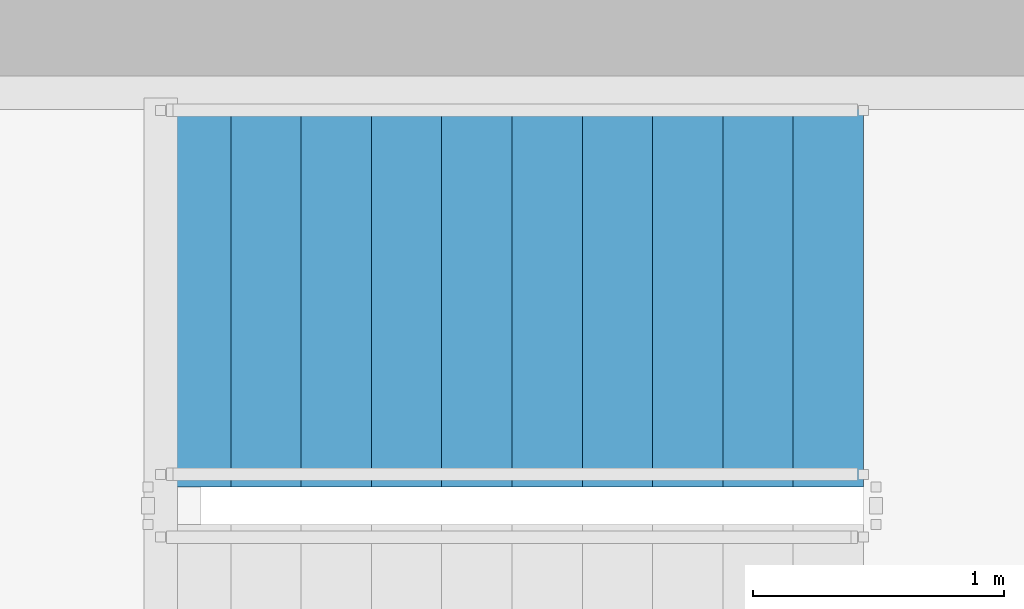
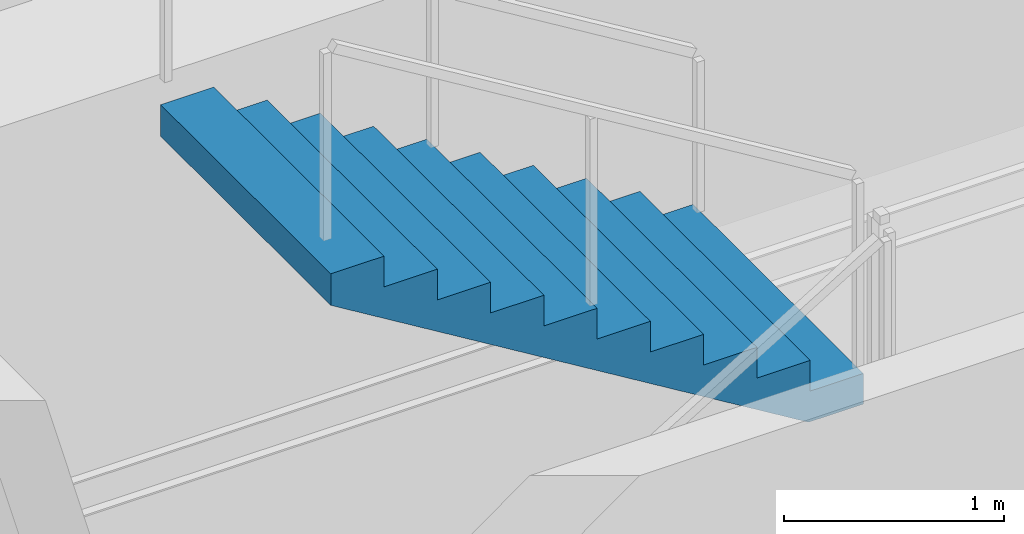
# One storey, part 16 of 23: 1 stair flight, 1 element without a shape of its own.
"""IFC4 building model written with IfcOpenShell, lengths in metres."""

from ifc_helpers import new_model, si_unit, direction, frame, origin, place, context, subcontext, project, spatial, polyline, outline, extrude, material, type_object, element, aggregate, save


model = new_model("IFC4")

# Units and contexts
model_context = context("Model", 3, precision=1e-05, world=origin(), true_north=direction((0.0, 1.0)))
body_context = subcontext(model_context, "Body", "Model", "MODEL_VIEW")
ifc_project = project(units=[si_unit("LENGTHUNIT", "METRE"), si_unit("AREAUNIT", "SQUARE_METRE"), si_unit("VOLUMEUNIT", "CUBIC_METRE"), si_unit("PLANEANGLEUNIT", "RADIAN"), si_unit("MASSUNIT", "GRAM", prefix="KILO")], contexts=[model_context])

# Site, building, storey
site_placement = place(None, origin())
site = spatial("IfcSite", under=ifc_project, at=site_placement, CompositionType="ELEMENT")
building_placement = place(site_placement, origin())
building = spatial("IfcBuilding", under=site, at=building_placement, Name="Kazma Halo Residences", CompositionType="ELEMENT")
storey_placement = place(building_placement, frame((0.0, 0.0, 112.64990234375)))
storey = spatial("IfcBuildingStorey", under=building, at=storey_placement, Name="L28", CompositionType="ELEMENT", Elevation=112.64990234375)

# Stair, stair flight
ifc_material = material(Name="Concrete C50/60", Category="concrete")
stair_type = type_object("IfcStairType", Name="STR-RES1", PredefinedType="HALF_TURN_STAIR", material=ifc_material)
stair_placement = place(storey_placement, origin())
stair = element("IfcStair", 1, at=stair_placement, inside=storey, type_object=stair_type, Name="L28 Core exit stair ST-02", PredefinedType="HALF_TURN_STAIR")
stair_flight_type = type_object("IfcStairFlightType", Name="STR-RES1-FLT", PredefinedType="STRAIGHT", material=ifc_material)
stair_flight_placement = place(storey_placement, frame((56.0, 49.22509765625, 1.875), z_axis=(0.0, 0.0, 1.0), x_axis=(-1.0, 0.0, 0.0)))
stair_flight = element("IfcStairFlight", 2, at=stair_flight_placement, type_object=stair_flight_type, Name="ST-02 flight 2", NumberOfRisers=11, NumberOfTreads=10, PredefinedType="STRAIGHT", RiserHeight=0.170454545, TreadLength=0.28, context=body_context, shape_type="SweptSolid", body=[
    extrude(outline(polyline([(0.0, 0.0), (0.0, 0.17041015625), (0.280029296875, 0.17041015625), (0.280029296875, 0.3408203125), (0.56005859375, 0.3408203125), (0.56005859375, 0.511474609375), (0.840087890625, 0.511474609375), (0.840087890625, 0.681884765625), (1.1201171875, 0.681884765625), (1.1201171875, 0.852294921875), (1.39990234375, 0.852294921875), (1.39990234375, 1.022705078125), (1.679931640625, 1.022705078125), (1.679931640625, 1.193115234375), (1.9599609375, 1.193115234375), (1.9599609375, 1.363525390625), (2.239990234375, 1.363525390625), (2.239990234375, 1.5341796875), (2.52001953125, 1.5341796875), (2.52001953125, 1.70458984375), (2.800048828125, 1.70458984375), (2.800048828125, 1.875), (2.800048828125, 1.529052734375), (0.288330078125, 0.0), (0.0, 0.0)])), frame((0.0, 0.77490234375, 0.0), z_axis=(0.0, -1.0, 0.0), x_axis=(1.0, 0.0, 0.0)), (0.0, 0.0, 1.0), 1.550048828125),
])
aggregate(stair, [stair_flight])

save(model, "model.ifc")
